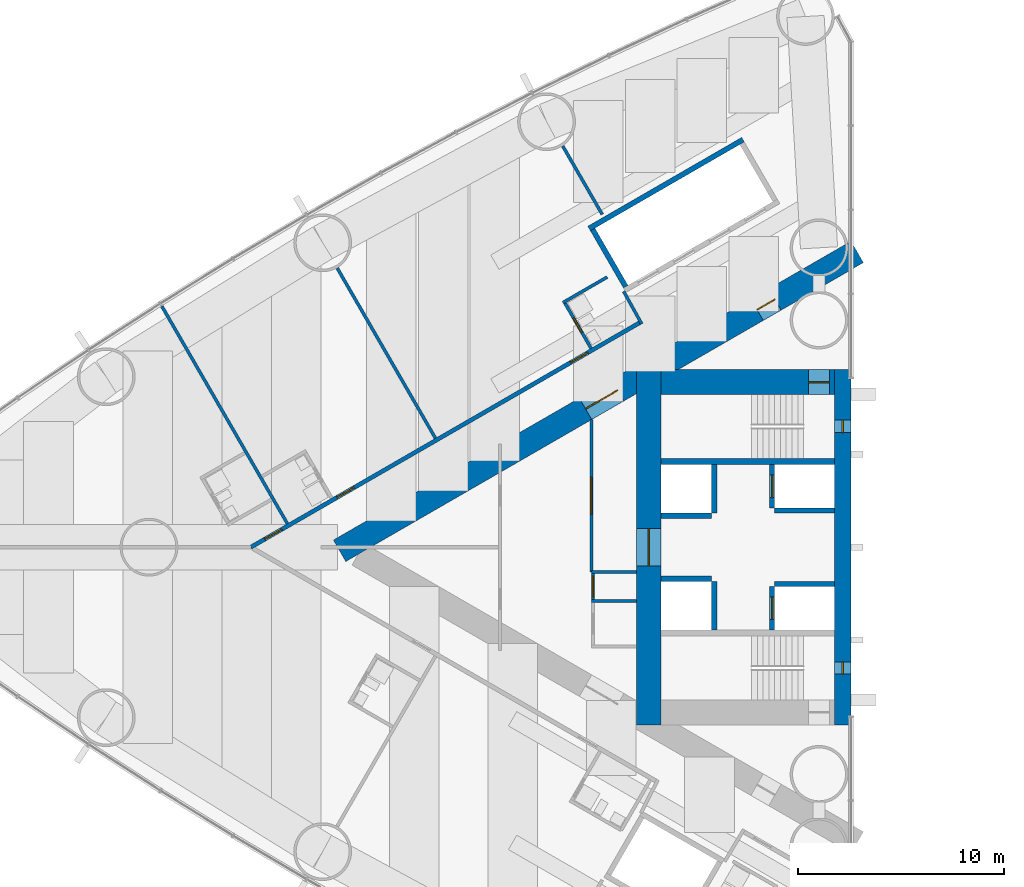
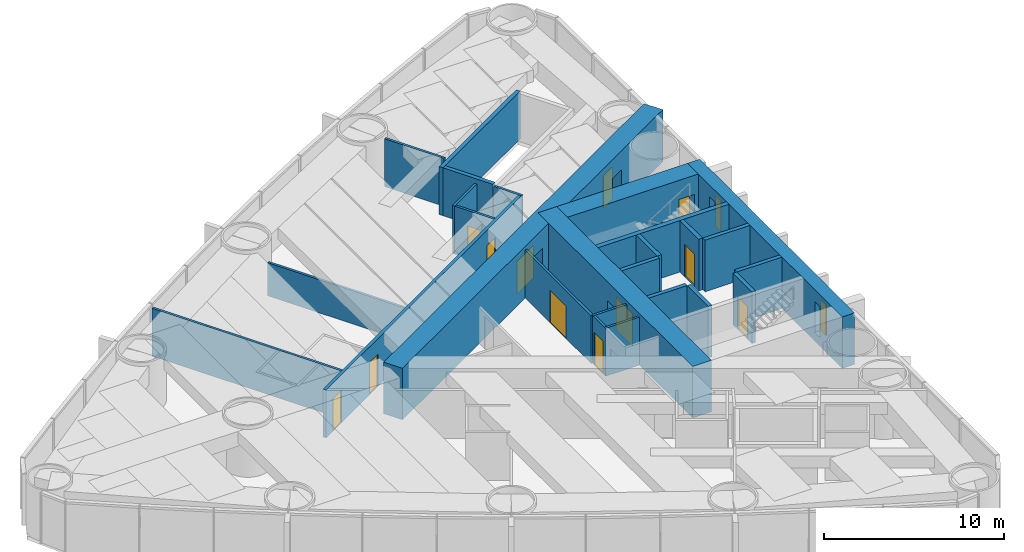
# One storey, part 12 of 19: 26 walls, 12 doors, 2 windows, 14 openings.
"""IFC4 building model written with IfcOpenShell, lengths in metres."""

from ifc_helpers import new_model, si_unit, direction, frame, frame_2d, origin, place, context, subcontext, project, spatial, rectangle, extrude, material, layer, layer_set, type_object, element, fill, save


model = new_model("IFC4")

# Units and contexts
model_context = context("Model", 3, precision=1e-05, world=origin(), true_north=direction((0.0, 1.0)))
body_context = subcontext(model_context, "Body", "Model", "MODEL_VIEW")
ifc_project = project(units=[si_unit("LENGTHUNIT", "METRE"), si_unit("AREAUNIT", "SQUARE_METRE"), si_unit("VOLUMEUNIT", "CUBIC_METRE"), si_unit("PLANEANGLEUNIT", "RADIAN"), si_unit("MASSUNIT", "GRAM", prefix="KILO")], contexts=[model_context])

# Site, building, storey
site_placement = place(None, origin())
site = spatial("IfcSite", under=ifc_project, at=site_placement, CompositionType="ELEMENT")
building_placement = place(site_placement, origin())
building = spatial("IfcBuilding", under=site, at=building_placement, Name="Lancet Gate Hotel", CompositionType="ELEMENT")
storey_placement = place(building_placement, frame((0.0, 0.0, 32.0)))
storey = spatial("IfcBuildingStorey", under=building, at=storey_placement, Name="L07", CompositionType="ELEMENT", Elevation=32.0)

# Wall
ifc_material_1 = material(Name="Moisture resistant board partition")
ifc_layer_1 = layer(ifc_material_1, 0.14990234375)
ifc_layer_set_1 = layer_set([ifc_layer_1], Name="Bathroom wall 150")
wall_type_1 = type_object("IfcWallType", Name="Bathroom wall 150", PredefinedType="PARTITIONING", material=ifc_layer_set_1)
wall_1_placement = place(storey_placement, frame((-39.309814453125, 13.081787109375, 0.0), z_axis=(0.0, 0.0, 1.0), x_axis=(-0.866031185235, -0.4999899861, 0.0)))
element("IfcWall", 1, at=wall_1_placement, inside=storey, type_object=wall_type_1, Name="T1 bathroom wall 150 L07", PredefinedType="PARTITIONING", context=body_context, shape_type="SweptSolid", body=[
    extrude(rectangle(XDim=2.47509765625, YDim=0.14990234375, at=frame_2d((1.237548828125, 0.0))), origin(), (0.0, 0.0, 1.0), 3.25),
])

# Wall, opening, door
wall_2_placement = place(storey_placement, frame((-40.08837890625, 9.630126953125, 0.0), z_axis=(0.0, 0.0, 1.0), x_axis=(-0.500006934395, 0.866021400173, 0.0)))
wall_2 = element("IfcWall", 2, at=wall_2_placement, inside=storey, type_object=wall_type_1, Name="T1 bathroom wall 150 L07", PredefinedType="PARTITIONING", context=body_context, shape_type="SweptSolid", body=[
    extrude(rectangle(XDim=2.60009765625, YDim=0.14990234375, at=frame_2d((1.300048828125, 0.0))), origin(), (0.0, 0.0, 1.0), 3.25),
])
opening_1_placement = place(wall_2_placement, frame((0.89990234375, 0.0, 0.0)))
opening_1 = element("IfcOpeningElement", 3, at=opening_1_placement, cuts=wall_2, Name="Opening 0702-B", PredefinedType="OPENING", context=body_context, shape_type="SweptSolid", body=[
    extrude(rectangle(XDim=0.800048828125, YDim=2.199951171875, at=frame_2d((0.39990234375, 1.10009765625))), frame((0.0, 0.0849609375, 0.0), z_axis=(0.0, -1.0, 0.0), x_axis=(1.0, 0.0, 0.0)), (0.0, 0.0, 1.0), 0.169921875),
])
ifc_material_2 = material(Name="Timber door set", Category="wood")
door_type_1 = type_object("IfcDoorType", Name="Bathroom door 800", OperationType="SINGLE_SWING_RIGHT", PredefinedType="DOOR", material=ifc_material_2)
door_1_placement = place(opening_1_placement, origin())
door_1 = element("IfcDoor", 4, at=door_1_placement, inside=storey, type_object=door_type_1, Name="0702-B", OperationType="SINGLE_SWING_RIGHT", OverallHeight=2.199951171875, OverallWidth=0.800048828125, PredefinedType="DOOR", context=body_context, shape_type="SweptSolid", body=[
    extrude(rectangle(XDim=0.800048828125, YDim=2.199951171875, at=frame_2d((0.39990234375, 1.10009765625))), frame((0.0, 0.02490234375, 0.0), z_axis=(0.0, -1.0, 0.0), x_axis=(1.0, 0.0, 0.0)), (0.0, 0.0, 1.0), 0.050048828125),
])
fill(opening_1, door_1)

# Wall, openings, doors
ifc_material_3 = material(Name="Concrete C70/85", Category="concrete")
ifc_layer_2 = layer(ifc_material_3, 1.199951171875)
ifc_layer_set_2 = layer_set([ifc_layer_2], Name="Buttress wall 1200")
wall_type_2 = type_object("IfcWallType", Name="Buttress wall 1200", PredefinedType="SHEAR", material=ifc_layer_set_2)
wall_3_placement = place(storey_placement, frame((-27.199951171875, 14.300048828125, 0.0), z_axis=(0.0, 0.0, 1.0), x_axis=(-0.866026593062, -0.499997940104, 0.0)))
wall_3 = element("IfcWall", 5, at=wall_3_placement, inside=storey, type_object=wall_type_2, Name="T1 buttress wall S L07", PredefinedType="SHEAR", context=body_context, shape_type="SweptSolid", body=[
    extrude(rectangle(XDim=28.9462890625, YDim=1.199951171875, at=frame_2d((14.47314453125, 0.0))), origin(), (0.0, 0.0, 1.0), 3.5),
])
opening_2_placement = place(wall_3_placement, frame((4.60009765625, 0.0, 0.0)))
opening_2 = element("IfcOpeningElement", 6, at=opening_2_placement, cuts=wall_3, Name="Opening T1-L07-LS", PredefinedType="OPENING", context=body_context, shape_type="SweptSolid", body=[
    extrude(rectangle(XDim=1.0, YDim=2.199951171875, at=frame_2d((0.5, 1.10009765625))), frame((0.0, 0.60986328125, 0.0), z_axis=(0.0, -1.0, 0.0), x_axis=(1.0, 0.0, 0.0)), (0.0, 0.0, 1.0), 1.219970703125),
])
opening_3_placement = place(wall_3_placement, frame((13.39453125, 0.0, 0.0)))
opening_3 = element("IfcOpeningElement", 7, at=opening_3_placement, cuts=wall_3, Name="Opening T1-L07-LHS", PredefinedType="OPENING", context=body_context, shape_type="SweptSolid", body=[
    extrude(rectangle(XDim=1.800048828125, YDim=2.199951171875, at=frame_2d((0.89990234375, 1.10009765625))), frame((0.0, 0.60986328125, 0.0), z_axis=(0.0, -1.0, 0.0), x_axis=(1.0, 0.0, 0.0)), (0.0, 0.0, 1.0), 1.219970703125),
])
ifc_material_4 = material(Name="Timber door set", Category="wood")
door_type_2 = type_object("IfcDoorType", Name="Lobby double door 1800", OperationType="DOUBLE_DOOR_SINGLE_SWING", PredefinedType="DOOR", material=ifc_material_4)
door_2_placement = place(opening_3_placement, origin())
door_2 = element("IfcDoor", 8, at=door_2_placement, inside=storey, type_object=door_type_2, Name="T1-L07-LHS", OperationType="DOUBLE_DOOR_SINGLE_SWING", OverallHeight=2.199951171875, OverallWidth=1.800048828125, PredefinedType="DOOR", context=body_context, shape_type="SweptSolid", body=[
    extrude(rectangle(XDim=1.800048828125, YDim=2.199951171875, at=frame_2d((0.89990234375, 1.10009765625))), frame((0.0, 0.02490234375, 0.0), z_axis=(0.0, -1.0, 0.0), x_axis=(1.0, 0.0, 0.0)), (0.0, 0.0, 1.0), 0.050048828125),
])
fill(opening_3, door_2)
ifc_material_5 = material(Name="Timber door set", Category="wood")
door_type_3 = type_object("IfcDoorType", Name="Stair lobby door 1000", OperationType="SINGLE_SWING_LEFT", PredefinedType="DOOR", material=ifc_material_5)
door_3_placement = place(opening_2_placement, origin())
door_3 = element("IfcDoor", 9, at=door_3_placement, inside=storey, type_object=door_type_3, Name="T1-L07-LS", OperationType="SINGLE_SWING_LEFT", OverallHeight=2.199951171875, OverallWidth=1.0, PredefinedType="DOOR", context=body_context, shape_type="SweptSolid", body=[
    extrude(rectangle(XDim=1.0, YDim=2.199951171875, at=frame_2d((0.5, 1.10009765625))), frame((0.0, 0.02490234375, 0.0), z_axis=(0.0, -1.0, 0.0), x_axis=(1.0, 0.0, 0.0)), (0.0, 0.0, 1.0), 0.050048828125),
])
fill(opening_2, door_3)

# Wall, opening, door
ifc_material_6 = material(Name="Concrete C70/85", Category="concrete")
ifc_layer_3 = layer(ifc_material_6, 1.199951171875)
ifc_layer_set_3 = layer_set([ifc_layer_3], Name="Core wall 1200")
wall_type_3 = type_object("IfcWallType", Name="Core wall 1200", PredefinedType="SHEAR", material=ifc_layer_set_3)
wall_4_placement = place(storey_placement, frame((-37.300048828125, 8.60009765625, 0.0), z_axis=(0.0, 0.0, 1.0), x_axis=(0.0, -1.0, 0.0)))
wall_4 = element("IfcWall", 10, at=wall_4_placement, inside=storey, type_object=wall_type_3, Name="T1 core wall back L07", PredefinedType="SHEAR", context=body_context, shape_type="SweptSolid", body=[
    extrude(rectangle(XDim=17.2001953125, YDim=1.199951171875, at=frame_2d((8.60009765625, 0.0))), origin(), (0.0, 0.0, 1.0), 3.5),
])
opening_4_placement = place(wall_4_placement, frame((7.699951171875, 0.0, 0.0)))
opening_4 = element("IfcOpeningElement", 11, at=opening_4_placement, cuts=wall_4, Name="Opening T1-L07-LL", PredefinedType="OPENING", context=body_context, shape_type="SweptSolid", body=[
    extrude(rectangle(XDim=1.800048828125, YDim=2.199951171875, at=frame_2d((0.89990234375, 1.10009765625))), frame((0.0, 0.60986328125, 0.0), z_axis=(0.0, -1.0, 0.0), x_axis=(1.0, 0.0, 0.0)), (0.0, 0.0, 1.0), 1.219970703125),
])
door_4_placement = place(opening_4_placement, origin())
door_4 = element("IfcDoor", 12, at=door_4_placement, inside=storey, type_object=door_type_2, Name="T1-L07-LL", OperationType="DOUBLE_DOOR_SINGLE_SWING", OverallHeight=2.199951171875, OverallWidth=1.800048828125, PredefinedType="DOOR", context=body_context, shape_type="SweptSolid", body=[
    extrude(rectangle(XDim=1.800048828125, YDim=2.199951171875, at=frame_2d((0.89990234375, 1.10009765625))), frame((0.0, 0.02490234375, 0.0), z_axis=(0.0, -1.0, 0.0), x_axis=(1.0, 0.0, 0.0)), (0.0, 0.0, 1.0), 0.050048828125),
])
fill(opening_4, door_4)

wall_5_placement = place(storey_placement, frame((-28.300048828125, 8.0, 0.0), z_axis=(0.0, 0.0, 1.0), x_axis=(-1.0, 0.0, 0.0)))
wall_5 = element("IfcWall", 13, at=wall_5_placement, inside=storey, type_object=wall_type_3, Name="T1 core wall side-S L07", PredefinedType="SHEAR", context=body_context, shape_type="SweptSolid", body=[
    extrude(rectangle(XDim=8.39990234375, YDim=1.199951171875, at=frame_2d((4.199951171875, 0.0))), origin(), (0.0, 0.0, 1.0), 3.5),
])
opening_5_placement = place(wall_5_placement, frame((0.25, 0.0, 0.0)))
opening_5 = element("IfcOpeningElement", 14, at=opening_5_placement, cuts=wall_5, Name="Opening T1-L07-ST1", PredefinedType="OPENING", context=body_context, shape_type="SweptSolid", body=[
    extrude(rectangle(XDim=1.0, YDim=2.199951171875, at=frame_2d((0.5, 1.10009765625))), frame((0.0, 0.60986328125, 0.0), z_axis=(0.0, -1.0, 0.0), x_axis=(1.0, 0.0, 0.0)), (0.0, 0.0, 1.0), 1.219970703125),
])
ifc_material_7 = material(Name="Timber door set", Category="wood")
door_type_4 = type_object("IfcDoorType", Name="Stair door 1000", OperationType="SINGLE_SWING_RIGHT", PredefinedType="DOOR", material=ifc_material_7)
door_5_placement = place(opening_5_placement, origin())
door_5 = element("IfcDoor", 15, at=door_5_placement, inside=storey, type_object=door_type_4, Name="T1-L07-ST1", OperationType="SINGLE_SWING_RIGHT", OverallHeight=2.199951171875, OverallWidth=1.0, PredefinedType="DOOR", context=body_context, shape_type="SweptSolid", body=[
    extrude(rectangle(XDim=1.0, YDim=2.199951171875, at=frame_2d((0.5, 1.10009765625))), frame((0.0, 0.02490234375, 0.0), z_axis=(0.0, -1.0, 0.0), x_axis=(1.0, 0.0, 0.0)), (0.0, 0.0, 1.0), 0.050048828125),
])
fill(opening_5, door_5)

# Wall, openings, windows
ifc_material_8 = material(Name="Concrete C70/85", Category="concrete")
ifc_layer_4 = layer(ifc_material_8, 0.800048828125)
ifc_layer_set_4 = layer_set([ifc_layer_4], Name="Core wall 800")
wall_type_4 = type_object("IfcWallType", Name="Core wall 800", PredefinedType="SHEAR", material=ifc_layer_set_4)
wall_6_placement = place(storey_placement, frame((-27.89990234375, 8.60009765625, 0.0), z_axis=(0.0, 0.0, 1.0), x_axis=(0.0, -1.0, 0.0)))
wall_6 = element("IfcWall", 16, at=wall_6_placement, inside=storey, type_object=wall_type_4, Name="T1 core wall front L07", PredefinedType="SHEAR", context=body_context, shape_type="SweptSolid", body=[
    extrude(rectangle(XDim=17.2001953125, YDim=0.800048828125, at=frame_2d((8.60009765625, 0.0))), origin(), (0.0, 0.0, 1.0), 3.5),
])
opening_6_placement = place(wall_6_placement, frame((2.449951171875, 0.0, 0.60009765625)))
opening_6 = element("IfcOpeningElement", 17, at=opening_6_placement, cuts=wall_6, Name="Opening LW1", PredefinedType="OPENING", context=body_context, shape_type="SweptSolid", body=[
    extrude(rectangle(XDim=0.60009765625, YDim=2.10009765625, at=frame_2d((0.300048828125, 1.050048828125))), frame((0.0, 0.409912109375, 0.0), z_axis=(0.0, -1.0, 0.0), x_axis=(1.0, 0.0, 0.0)), (0.0, 0.0, 1.0), 0.820068359375),
])
opening_7_placement = place(wall_6_placement, frame((14.14990234375, 0.0, 0.60009765625)))
opening_7 = element("IfcOpeningElement", 18, at=opening_7_placement, cuts=wall_6, Name="Opening LW1", PredefinedType="OPENING", context=body_context, shape_type="SweptSolid", body=[
    extrude(rectangle(XDim=0.60009765625, YDim=2.10009765625, at=frame_2d((0.300048828125, 1.050048828125))), frame((0.0, 0.409912109375, 0.0), z_axis=(0.0, -1.0, 0.0), x_axis=(1.0, 0.0, 0.0)), (0.0, 0.0, 1.0), 0.820068359375),
])
ifc_material_9 = material(Name="Fire-resisting glazed steel window", Category="steel")
window_type = type_object("IfcWindowType", Name="Lancet window 600x2100", PartitioningType="SINGLE_PANEL", PredefinedType="WINDOW", material=ifc_material_9)
window_1_placement = place(opening_6_placement, origin())
window_1 = element("IfcWindow", 19, at=window_1_placement, inside=storey, type_object=window_type, Name="T1 stair window S L07", OverallHeight=2.10009765625, OverallWidth=0.60009765625, PartitioningType="SINGLE_PANEL", PredefinedType="WINDOW", context=body_context, shape_type="SweptSolid", body=[
    extrude(rectangle(XDim=0.60009765625, YDim=2.10009765625, at=frame_2d((0.300048828125, 1.050048828125))), frame((0.0, 0.030029296875, 0.0), z_axis=(0.0, -1.0, 0.0), x_axis=(1.0, 0.0, 0.0)), (0.0, 0.0, 1.0), 0.06005859375),
])
fill(opening_6, window_1)
window_2_placement = place(opening_7_placement, origin())
window_2 = element("IfcWindow", 20, at=window_2_placement, inside=storey, type_object=window_type, Name="T1 stair window N L07", OverallHeight=2.10009765625, OverallWidth=0.60009765625, PartitioningType="SINGLE_PANEL", PredefinedType="WINDOW", context=body_context, shape_type="SweptSolid", body=[
    extrude(rectangle(XDim=0.60009765625, YDim=2.10009765625, at=frame_2d((0.300048828125, 1.050048828125))), frame((0.0, 0.030029296875, 0.0), z_axis=(0.0, -1.0, 0.0), x_axis=(1.0, 0.0, 0.0)), (0.0, 0.0, 1.0), 0.06005859375),
])
fill(opening_7, window_2)

# Wall, openings, doors
ifc_material_10 = material(Name="Gypsum board partition")
ifc_layer_5 = layer(ifc_material_10, 0.199951171875)
ifc_layer_set_5 = layer_set([ifc_layer_5], Name="Corridor wall 200")
wall_type_5 = type_object("IfcWallType", Name="Corridor wall 200", PredefinedType="PARTITIONING", material=ifc_layer_set_5)
wall_7_placement = place(storey_placement, frame((-37.699951171875, 10.8935546875, 0.0), z_axis=(0.0, 0.0, 1.0), x_axis=(-0.866027905338, -0.499995667157, 0.0)))
wall_7 = element("IfcWall", 21, at=wall_7_placement, inside=storey, type_object=wall_type_5, Name="T1 corridor wall 200 L07", PredefinedType="PARTITIONING", context=body_context, shape_type="SweptSolid", body=[
    extrude(rectangle(XDim=21.787353515625, YDim=0.199951171875, at=frame_2d((10.8935546875, 0.0))), origin(), (0.0, 0.0, 1.0), 3.25),
])
opening_8_placement = place(wall_7_placement, frame((16.008056640625, 0.0, 0.0)))
opening_8 = element("IfcOpeningElement", 22, at=opening_8_placement, cuts=wall_7, Name="Opening 0703-E", PredefinedType="OPENING", context=body_context, shape_type="SweptSolid", body=[
    extrude(rectangle(XDim=0.949951171875, YDim=2.199951171875, at=frame_2d((0.47509765625, 1.10009765625))), frame((0.0, 0.10986328125, 0.0), z_axis=(0.0, -1.0, 0.0), x_axis=(1.0, 0.0, 0.0)), (0.0, 0.0, 1.0), 0.219970703125),
])
opening_9_placement = place(wall_7_placement, frame((20.05810546875, 0.0, 0.0)))
opening_9 = element("IfcOpeningElement", 23, at=opening_9_placement, cuts=wall_7, Name="Opening 0704-E", PredefinedType="OPENING", context=body_context, shape_type="SweptSolid", body=[
    extrude(rectangle(XDim=0.949951171875, YDim=2.199951171875, at=frame_2d((0.47509765625, 1.10009765625))), frame((0.0, 0.10986328125, 0.0), z_axis=(0.0, -1.0, 0.0), x_axis=(1.0, 0.0, 0.0)), (0.0, 0.0, 1.0), 0.219970703125),
])
opening_10_placement = place(wall_7_placement, frame((2.949951171875, 0.0, 0.0)))
opening_10 = element("IfcOpeningElement", 24, at=opening_10_placement, cuts=wall_7, Name="Opening 0702-E", PredefinedType="OPENING", context=body_context, shape_type="SweptSolid", body=[
    extrude(rectangle(XDim=0.949951171875, YDim=2.199951171875, at=frame_2d((0.47509765625, 1.10009765625))), frame((0.0, 0.10986328125, 0.0), z_axis=(0.0, -1.0, 0.0), x_axis=(1.0, 0.0, 0.0)), (0.0, 0.0, 1.0), 0.219970703125),
])
ifc_material_11 = material(Name="Timber door set", Category="wood")
door_type_5 = type_object("IfcDoorType", Name="Guest room entry door 950", OperationType="SINGLE_SWING_LEFT", PredefinedType="DOOR", material=ifc_material_11)
door_6_placement = place(opening_8_placement, origin())
door_6 = element("IfcDoor", 25, at=door_6_placement, inside=storey, type_object=door_type_5, Name="0703-E", OperationType="SINGLE_SWING_LEFT", OverallHeight=2.199951171875, OverallWidth=0.949951171875, PredefinedType="DOOR", context=body_context, shape_type="SweptSolid", body=[
    extrude(rectangle(XDim=0.949951171875, YDim=2.199951171875, at=frame_2d((0.47509765625, 1.10009765625))), frame((0.0, 0.02490234375, 0.0), z_axis=(0.0, -1.0, 0.0), x_axis=(1.0, 0.0, 0.0)), (0.0, 0.0, 1.0), 0.050048828125),
])
fill(opening_8, door_6)
door_7_placement = place(opening_9_placement, origin())
door_7 = element("IfcDoor", 26, at=door_7_placement, inside=storey, type_object=door_type_5, Name="0704-E", OperationType="SINGLE_SWING_LEFT", OverallHeight=2.199951171875, OverallWidth=0.949951171875, PredefinedType="DOOR", context=body_context, shape_type="SweptSolid", body=[
    extrude(rectangle(XDim=0.949951171875, YDim=2.199951171875, at=frame_2d((0.47509765625, 1.10009765625))), frame((0.0, 0.02490234375, 0.0), z_axis=(0.0, -1.0, 0.0), x_axis=(1.0, 0.0, 0.0)), (0.0, 0.0, 1.0), 0.050048828125),
])
fill(opening_9, door_7)
door_8_placement = place(opening_10_placement, origin())
door_8 = element("IfcDoor", 27, at=door_8_placement, inside=storey, type_object=door_type_5, Name="0702-E", OperationType="SINGLE_SWING_LEFT", OverallHeight=2.199951171875, OverallWidth=0.949951171875, PredefinedType="DOOR", context=body_context, shape_type="SweptSolid", body=[
    extrude(rectangle(XDim=0.949951171875, YDim=2.199951171875, at=frame_2d((0.47509765625, 1.10009765625))), frame((0.0, 0.02490234375, 0.0), z_axis=(0.0, -1.0, 0.0), x_axis=(1.0, 0.0, 0.0)), (0.0, 0.0, 1.0), 0.050048828125),
])
fill(opening_10, door_8)

# Walls
ifc_material_12 = material(Name="Gypsum board partition")
ifc_layer_6 = layer(ifc_material_12, 0.25)
ifc_layer_set_6 = layer_set([ifc_layer_6], Name="Lift shaft partition 250")
wall_type_6 = type_object("IfcWallType", Name="Lift shaft partition 250", PredefinedType="PARTITIONING", material=ifc_layer_set_6)
wall_8_placement = place(storey_placement, frame((-32.735595703125, 19.73583984375, 0.0), z_axis=(0.0, 0.0, 1.0), x_axis=(-0.866028165386, -0.499995216735, 0.0)))
element("IfcWall", 28, at=wall_8_placement, inside=storey, type_object=wall_type_6, Name="T1 lift shaft wall LR L07", PredefinedType="PARTITIONING", context=body_context, shape_type="SweptSolid", body=[
    extrude(rectangle(XDim=8.60009765625, YDim=0.25, at=frame_2d((4.300048828125, 0.0))), origin(), (0.0, 0.0, 1.0), 3.25),
])
wall_9_placement = place(storey_placement, frame((-38.412841796875, 12.617919921875, 0.0), z_axis=(0.0, 0.0, 1.0), x_axis=(-0.499872130319, 0.866099216793, 0.0)))
element("IfcWall", 29, at=wall_9_placement, inside=storey, type_object=wall_type_6, Name="T1 lift shaft wall LR L07", PredefinedType="PARTITIONING", context=body_context, shape_type="SweptSolid", body=[
    extrude(rectangle(XDim=3.200439453125, YDim=0.25, at=frame_2d((1.60009765625, 0.0))), origin(), (0.0, 0.0, 1.0), 3.25),
])

# Wall, opening, door
ifc_material_13 = material(Name="Concrete C50/60", Category="concrete")
ifc_layer_7 = layer(ifc_material_13, 0.25)
ifc_layer_set_7 = layer_set([ifc_layer_7], Name="Lift shaft wall 250")
wall_type_7 = type_object("IfcWallType", Name="Lift shaft wall 250", PredefinedType="SHEAR", material=ifc_layer_set_7)
wall_10_placement = place(storey_placement, frame((-31.324951171875, 4.0, 0.0), z_axis=(0.0, 0.0, 1.0), x_axis=(0.0, -1.0, 0.0)))
wall_10 = element("IfcWall", 30, at=wall_10_placement, inside=storey, type_object=wall_type_7, Name="T1 core wall row1-S L07", PredefinedType="SHEAR", context=body_context, shape_type="SweptSolid", body=[
    extrude(rectangle(XDim=2.10009765625, YDim=0.25, at=frame_2d((1.050048828125, 0.0))), origin(), (0.0, 0.0, 1.0), 3.5),
])
opening_11_placement = place(wall_10_placement, frame((0.5, 0.0, 0.0)))
opening_11 = element("IfcOpeningElement", 31, at=opening_11_placement, cuts=wall_10, Name="Opening T1-SL1-L07", PredefinedType="OPENING", context=body_context, shape_type="SweptSolid", body=[
    extrude(rectangle(XDim=1.10009765625, YDim=2.199951171875, at=frame_2d((0.550048828125, 1.10009765625))), frame((0.0, 0.135009765625, 0.0), z_axis=(0.0, -1.0, 0.0), x_axis=(1.0, 0.0, 0.0)), (0.0, 0.0, 1.0), 0.27001953125),
])
ifc_material_14 = material(Name="Timber door set", Category="wood")
door_type_6 = type_object("IfcDoorType", Name="Service lift landing door 1100", OperationType="SLIDING_TO_LEFT", PredefinedType="USERDEFINED", material=ifc_material_14)
door_9_placement = place(opening_11_placement, origin())
door_9 = element("IfcDoor", 32, at=door_9_placement, inside=storey, type_object=door_type_6, Name="T1-SL1-L07", ObjectType="LIFT LANDING DOOR", OperationType="SLIDING_TO_LEFT", OverallHeight=2.199951171875, OverallWidth=1.10009765625, PredefinedType="USERDEFINED", context=body_context, shape_type="SweptSolid", body=[
    extrude(rectangle(XDim=1.10009765625, YDim=2.199951171875, at=frame_2d((0.550048828125, 1.10009765625))), frame((0.0, 0.02490234375, 0.0), z_axis=(0.0, -1.0, 0.0), x_axis=(1.0, 0.0, 0.0)), (0.0, 0.0, 1.0), 0.050048828125),
])
fill(opening_11, door_9)

# Walls
wall_11_placement = place(storey_placement, frame((-34.125, 4.0, 0.0), z_axis=(0.0, 0.0, 1.0), x_axis=(0.0, -1.0, 0.0)))
element("IfcWall", 33, at=wall_11_placement, inside=storey, type_object=wall_type_7, Name="T1 core wall row2-S L07", PredefinedType="SHEAR", context=body_context, shape_type="SweptSolid", body=[
    extrude(rectangle(XDim=2.35009765625, YDim=0.25, at=frame_2d((1.175048828125, 0.0))), origin(), (0.0, 0.0, 1.0), 3.5),
])
wall_12_placement = place(storey_placement, frame((-28.300048828125, 1.77490234375, 0.0), z_axis=(0.0, 0.0, 1.0), x_axis=(-1.0, 0.0, 0.0)))
element("IfcWall", 34, at=wall_12_placement, inside=storey, type_object=wall_type_7, Name="T1 core wall pass1-S L07", PredefinedType="SHEAR", context=body_context, shape_type="SweptSolid", body=[
    extrude(rectangle(XDim=2.89990234375, YDim=0.25, at=frame_2d((1.449951171875, 0.0))), origin(), (0.0, 0.0, 1.0), 3.5),
])
wall_13_placement = place(storey_placement, frame((-34.25, 1.52490234375, 0.0), z_axis=(0.0, 0.0, 1.0), x_axis=(-1.0, 0.0, 0.0)))
element("IfcWall", 35, at=wall_13_placement, inside=storey, type_object=wall_type_7, Name="T1 core wall pass2-S L07", PredefinedType="SHEAR", context=body_context, shape_type="SweptSolid", body=[
    extrude(rectangle(XDim=2.449951171875, YDim=0.25, at=frame_2d((1.22509765625, 0.0))), origin(), (0.0, 0.0, 1.0), 3.5),
])

# Wall, opening, door
wall_14_placement = place(storey_placement, frame((-31.324951171875, -1.89990234375, 0.0), z_axis=(0.0, 0.0, 1.0), x_axis=(0.0, -1.0, 0.0)))
wall_14 = element("IfcWall", 36, at=wall_14_placement, inside=storey, type_object=wall_type_7, Name="T1 core wall row1-N L07", PredefinedType="SHEAR", context=body_context, shape_type="SweptSolid", body=[
    extrude(rectangle(XDim=2.10009765625, YDim=0.25, at=frame_2d((1.050048828125, 0.0))), origin(), (0.0, 0.0, 1.0), 3.5),
])
opening_12_placement = place(wall_14_placement, frame((0.5, 0.0, 0.0)))
opening_12 = element("IfcOpeningElement", 37, at=opening_12_placement, cuts=wall_14, Name="Opening T1-FL2-L07", PredefinedType="OPENING", context=body_context, shape_type="SweptSolid", body=[
    extrude(rectangle(XDim=1.10009765625, YDim=2.199951171875, at=frame_2d((0.550048828125, 1.10009765625))), frame((0.0, 0.135009765625, 0.0), z_axis=(0.0, -1.0, 0.0), x_axis=(1.0, 0.0, 0.0)), (0.0, 0.0, 1.0), 0.27001953125),
])
ifc_material_15 = material(Name="Steel door set", Category="steel")
door_type_7 = type_object("IfcDoorType", Name="Firefighting lift landing door 1100", OperationType="SLIDING_TO_LEFT", PredefinedType="USERDEFINED", material=ifc_material_15)
door_10_placement = place(opening_12_placement, origin())
door_10 = element("IfcDoor", 38, at=door_10_placement, inside=storey, type_object=door_type_7, Name="T1-FL2-L07", ObjectType="LIFT LANDING DOOR", OperationType="SLIDING_TO_LEFT", OverallHeight=2.199951171875, OverallWidth=1.10009765625, PredefinedType="USERDEFINED", context=body_context, shape_type="SweptSolid", body=[
    extrude(rectangle(XDim=1.10009765625, YDim=2.199951171875, at=frame_2d((0.550048828125, 1.10009765625))), frame((0.0, 0.02490234375, 0.0), z_axis=(0.0, -1.0, 0.0), x_axis=(1.0, 0.0, 0.0)), (0.0, 0.0, 1.0), 0.050048828125),
])
fill(opening_12, door_10)

# Walls
wall_15_placement = place(storey_placement, frame((-34.125, -1.64990234375, 0.0), z_axis=(0.0, 0.0, 1.0), x_axis=(0.0, -1.0, 0.0)))
element("IfcWall", 39, at=wall_15_placement, inside=storey, type_object=wall_type_7, Name="T1 core wall row2-N L07", PredefinedType="SHEAR", context=body_context, shape_type="SweptSolid", body=[
    extrude(rectangle(XDim=2.35009765625, YDim=0.25, at=frame_2d((1.175048828125, 0.0))), origin(), (0.0, 0.0, 1.0), 3.5),
])
wall_16_placement = place(storey_placement, frame((-28.300048828125, -1.77490234375, 0.0), z_axis=(0.0, 0.0, 1.0), x_axis=(-1.0, 0.0, 0.0)))
element("IfcWall", 40, at=wall_16_placement, inside=storey, type_object=wall_type_7, Name="T1 core wall pass1-N L07", PredefinedType="SHEAR", context=body_context, shape_type="SweptSolid", body=[
    extrude(rectangle(XDim=2.89990234375, YDim=0.25, at=frame_2d((1.449951171875, 0.0))), origin(), (0.0, 0.0, 1.0), 3.5),
])
wall_17_placement = place(storey_placement, frame((-34.25, -1.52490234375, 0.0), z_axis=(0.0, 0.0, 1.0), x_axis=(-1.0, 0.0, 0.0)))
element("IfcWall", 41, at=wall_17_placement, inside=storey, type_object=wall_type_7, Name="T1 core wall pass2-N L07", PredefinedType="SHEAR", context=body_context, shape_type="SweptSolid", body=[
    extrude(rectangle(XDim=2.449951171875, YDim=0.25, at=frame_2d((1.22509765625, 0.0))), origin(), (0.0, 0.0, 1.0), 3.5),
])
ifc_material_16 = material(Name="Gypsum board partition")
ifc_layer_8 = layer(ifc_material_16, 0.14990234375)
ifc_layer_set_8 = layer_set([ifc_layer_8], Name="Party wall 150")
wall_type_8 = type_object("IfcWallType", Name="Party wall 150", PredefinedType="PARTITIONING", material=ifc_layer_set_8)
wall_18_placement = place(storey_placement, frame((-47.626708984375, 5.27783203125, 0.0), z_axis=(0.0, 0.0, 1.0), x_axis=(-0.500009844318, 0.86601972009, 0.0)))
element("IfcWall", 42, at=wall_18_placement, inside=storey, type_object=wall_type_8, Name="T1 party wall 150 L07", PredefinedType="PARTITIONING", context=body_context, shape_type="SweptSolid", body=[
    extrude(rectangle(XDim=9.510498046875, YDim=0.14990234375, at=frame_2d((4.75537109375, 0.0))), origin(), (0.0, 0.0, 1.0), 2.25),
])
wall_19_placement = place(storey_placement, frame((-54.796142578125, 1.138671875, 0.0), z_axis=(0.0, 0.0, 1.0), x_axis=(-0.499998860433, 0.866026061713, 0.0)))
element("IfcWall", 43, at=wall_19_placement, inside=storey, type_object=wall_type_8, Name="T1 party wall 150 L07", PredefinedType="PARTITIONING", context=body_context, shape_type="SweptSolid", body=[
    extrude(rectangle(XDim=12.15673828125, YDim=0.14990234375, at=frame_2d((6.078369140625, 0.0))), origin(), (0.0, 0.0, 1.0), 3.25),
])
wall_20_placement = place(storey_placement, frame((-39.55078125, 16.11865234375, 0.0), z_axis=(0.0, 0.0, 1.0), x_axis=(-0.500014214979, 0.866017196607, 0.0)))
element("IfcWall", 44, at=wall_20_placement, inside=storey, type_object=wall_type_8, Name="T1 party wall 150 L07", PredefinedType="PARTITIONING", context=body_context, shape_type="SweptSolid", body=[
    extrude(rectangle(XDim=3.81494140625, YDim=0.14990234375, at=frame_2d((1.907470703125, 0.0))), origin(), (0.0, 0.0, 1.0), 3.25),
])
ifc_material_17 = material(Name="Gypsum board partition")
ifc_layer_9 = layer(ifc_material_17, 0.14990234375)
ifc_layer_set_9 = layer_set([ifc_layer_9], Name="Service room wall 150")
wall_type_9 = type_object("IfcWallType", Name="Service room wall 150", PredefinedType="PARTITIONING", material=ifc_layer_set_9)
wall_21_placement = place(storey_placement, frame((-38.513427734375, 12.392333984375, 0.0), z_axis=(0.0, 0.0, 1.0), x_axis=(0.485585508183, -0.874189175317, 0.0)))
element("IfcWall", 45, at=wall_21_placement, inside=storey, type_object=wall_type_9, Name="T1 service room wall 150 L07", PredefinedType="PARTITIONING", context=body_context, shape_type="SweptSolid", body=[
    extrude(rectangle(XDim=1.804931640625, YDim=0.14990234375, at=frame_2d((0.90234375, 0.0))), origin(), (0.0, 0.0, 1.0), 3.25),
])
for number, where, z_axis, x_axis, name in (
    (46, (-37.89990234375, -1.199951171875, 0.0), (0.0, 0.0, 1.0), (-1.0, 0.0, 0.0), "T1 service room wall 150 L07"),
    (47, (-37.89990234375, -2.60009765625, 0.0), (0.0, 0.0, 1.0), (-1.0, 0.0, 0.0), "T1 service room wall 150 L07"),
):
    element("IfcWall", number, at=place(storey_placement, frame(where, z_axis=z_axis, x_axis=x_axis)), inside=storey, type_object=wall_type_9, Name=name, PredefinedType="PARTITIONING", context=body_context, shape_type="SweptSolid", body=[
        extrude(rectangle(XDim=2.175048828125, YDim=0.14990234375, at=frame_2d((1.08740234375, 0.0))), origin(), (0.0, 0.0, 1.0), 3.25),
    ])

# Wall, opening, door
wall_22_placement = place(storey_placement, frame((-40.0, -1.125, 0.0), z_axis=(0.0, 0.0, 1.0), x_axis=(0.0, -1.0, 0.0)))
wall_22 = element("IfcWall", 48, at=wall_22_placement, inside=storey, type_object=wall_type_9, Name="T1 service room wall 150 L07", PredefinedType="PARTITIONING", context=body_context, shape_type="SweptSolid", body=[
    extrude(rectangle(XDim=1.550048828125, YDim=0.14990234375, at=frame_2d((0.77490234375, 0.0))), origin(), (0.0, 0.0, 1.0), 3.25),
])
opening_13_placement = place(wall_22_placement, frame((0.27490234375, 0.0, 0.0)))
opening_13 = element("IfcOpeningElement", 49, at=opening_13_placement, cuts=wall_22, Name="Opening T1-L07-HRN0", PredefinedType="OPENING", context=body_context, shape_type="SweptSolid", body=[
    extrude(rectangle(XDim=1.0, YDim=2.199951171875, at=frame_2d((0.5, 1.10009765625))), frame((0.0, 0.0849609375, 0.0), z_axis=(0.0, -1.0, 0.0), x_axis=(1.0, 0.0, 0.0)), (0.0, 0.0, 1.0), 0.169921875),
])
ifc_material_18 = material(Name="Timber door set", Category="wood")
door_type_8 = type_object("IfcDoorType", Name="Service door 1000", OperationType="SINGLE_SWING_LEFT", PredefinedType="DOOR", material=ifc_material_18)
door_11_placement = place(opening_13_placement, origin())
door_11 = element("IfcDoor", 50, at=door_11_placement, inside=storey, type_object=door_type_8, Name="T1-L07-HRN0", OperationType="SINGLE_SWING_LEFT", OverallHeight=2.199951171875, OverallWidth=1.0, PredefinedType="DOOR", context=body_context, shape_type="SweptSolid", body=[
    extrude(rectangle(XDim=1.0, YDim=2.199951171875, at=frame_2d((0.5, 1.10009765625))), frame((0.0, 0.02490234375, 0.0), z_axis=(0.0, -1.0, 0.0), x_axis=(1.0, 0.0, 0.0)), (0.0, 0.0, 1.0), 0.050048828125),
])
fill(opening_13, door_11)

wall_23_placement = place(storey_placement, frame((-40.074951171875, 6.173828125, 0.0), z_axis=(0.0, 0.0, 1.0), x_axis=(0.0, -1.0, 0.0)))
wall_23 = element("IfcWall", 51, at=wall_23_placement, inside=storey, type_object=wall_type_9, Name="T1 service room wall 150 L07", PredefinedType="PARTITIONING", context=body_context, shape_type="SweptSolid", body=[
    extrude(rectangle(XDim=7.373779296875, YDim=0.14990234375, at=frame_2d((3.68701171875, 0.0))), origin(), (0.0, 0.0, 1.0), 3.25),
])
opening_14_placement = place(wall_23_placement, frame((2.786865234375, 0.0, 0.0)))
opening_14 = element("IfcOpeningElement", 52, at=opening_14_placement, cuts=wall_23, Name="Opening T1-L07-LH", PredefinedType="OPENING", context=body_context, shape_type="SweptSolid", body=[
    extrude(rectangle(XDim=1.800048828125, YDim=2.199951171875, at=frame_2d((0.89990234375, 1.10009765625))), frame((0.0, 0.0849609375, 0.0), z_axis=(0.0, -1.0, 0.0), x_axis=(1.0, 0.0, 0.0)), (0.0, 0.0, 1.0), 0.169921875),
])
door_12_placement = place(opening_14_placement, origin())
door_12 = element("IfcDoor", 53, at=door_12_placement, inside=storey, type_object=door_type_2, Name="T1-L07-LH", OperationType="DOUBLE_DOOR_SINGLE_SWING", OverallHeight=2.199951171875, OverallWidth=1.800048828125, PredefinedType="DOOR", context=body_context, shape_type="SweptSolid", body=[
    extrude(rectangle(XDim=1.800048828125, YDim=2.199951171875, at=frame_2d((0.89990234375, 1.10009765625))), frame((0.0, 0.02490234375, 0.0), z_axis=(0.0, -1.0, 0.0), x_axis=(1.0, 0.0, 0.0)), (0.0, 0.0, 1.0), 0.050048828125),
])
fill(opening_14, door_12)

# Wall
ifc_material_19 = material(Name="Concrete C50/60", Category="concrete")
ifc_layer_10 = layer(ifc_material_19, 0.300048828125)
ifc_layer_set_10 = layer_set([ifc_layer_10], Name="Stair enclosure wall 300")
wall_type_10 = type_object("IfcWallType", Name="Stair enclosure wall 300", PredefinedType="SHEAR", material=ifc_layer_set_10)
wall_24_placement = place(storey_placement, frame((-28.300048828125, 4.14990234375, 0.0), z_axis=(0.0, 0.0, 1.0), x_axis=(-1.0, 0.0, 0.0)))
element("IfcWall", 54, at=wall_24_placement, inside=storey, type_object=wall_type_10, Name="T1 core wall stair-S L07", PredefinedType="SHEAR", context=body_context, shape_type="SweptSolid", body=[
    extrude(rectangle(XDim=8.39990234375, YDim=0.300048828125, at=frame_2d((4.199951171875, 0.0))), origin(), (0.0, 0.0, 1.0), 3.5),
])

save(model, "model.ifc")
